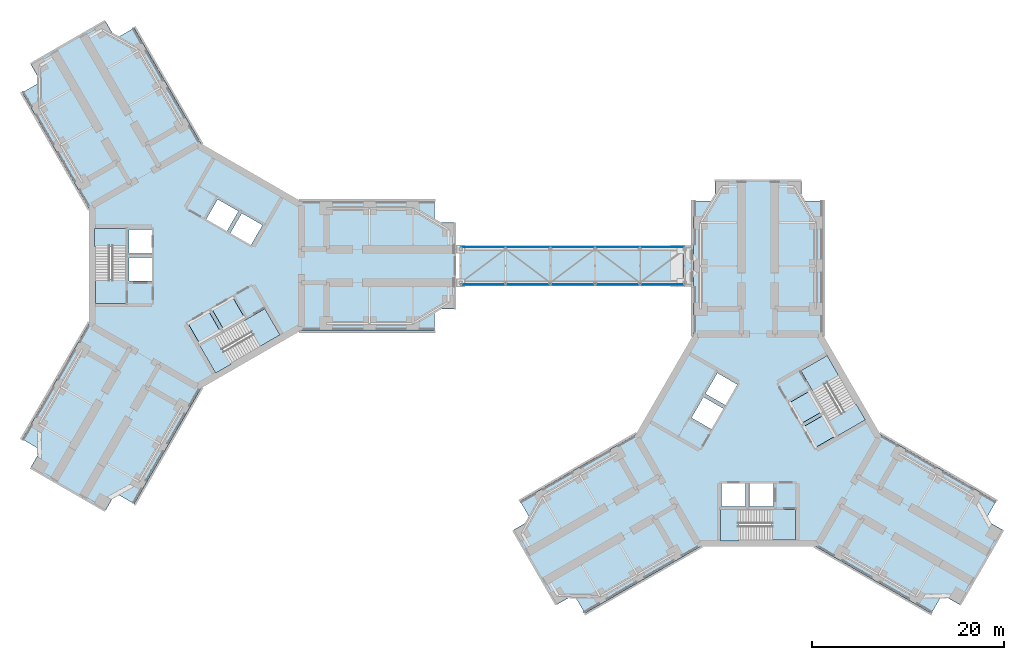
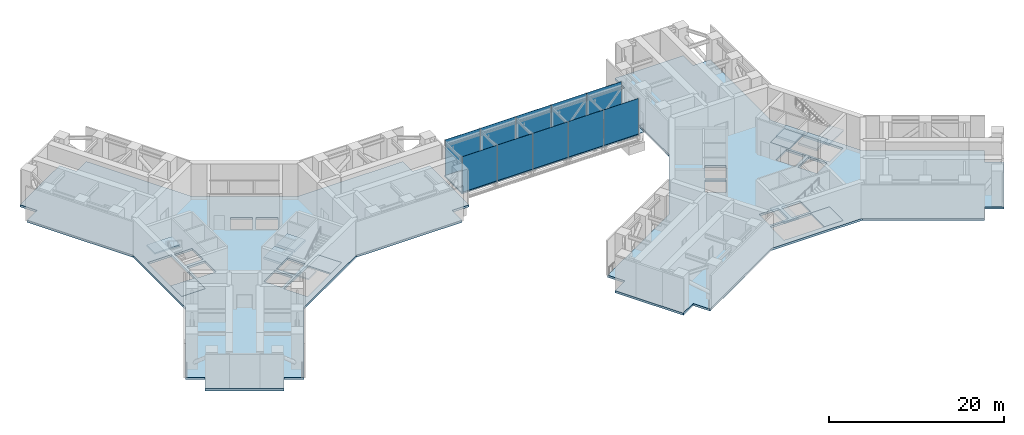
# One storey, part 7 of 17: 16 slabs, 10 plates, 6 elements without a shape of their own.
"""IFC4 building model written with IfcOpenShell, lengths in metres."""

from ifc_helpers import new_model, si_unit, direction, frame, origin, origin_2d, place, context, subcontext, project, spatial, polyline, rectangle, outline, extrude, material, layer, layer_set, type_object, element, aggregate, save


model = new_model("IFC4")

# Units and contexts
model_context = context("Model", 3, precision=1e-05, world=origin(), true_north=direction((0.0, 1.0)))
body_context = subcontext(model_context, "Body", "Model", "MODEL_VIEW")
ifc_project = project(units=[si_unit("LENGTHUNIT", "METRE"), si_unit("AREAUNIT", "SQUARE_METRE"), si_unit("VOLUMEUNIT", "CUBIC_METRE"), si_unit("PLANEANGLEUNIT", "RADIAN"), si_unit("MASSUNIT", "GRAM", prefix="KILO")], contexts=[model_context])

# Site, building, storey
site_placement = place(None, origin())
site = spatial("IfcSite", under=ifc_project, at=site_placement, CompositionType="ELEMENT")
building_placement = place(site_placement, origin())
building = spatial("IfcBuilding", under=site, at=building_placement, Name="Upepo Twin Towers", CompositionType="ELEMENT")
storey_placement = place(building_placement, frame((0.0, 0.0, 92.5)))
storey = spatial("IfcBuildingStorey", under=building, at=storey_placement, Name="L22", CompositionType="ELEMENT", Elevation=92.5)

# Slab
ifc_material_1 = material(Name="Concrete C40/50 on steel deck", Category="concrete")
ifc_layer_1 = layer(ifc_material_1, 0.199951171875)
ifc_layer_set_1 = layer_set([ifc_layer_1], Name="Concrete C40/50 on steel deck")
slab_type_1 = type_object("IfcSlabType", Name="Bridge deck 200 composite", PredefinedType="FLOOR", material=ifc_layer_set_1)
slab_1_placement = place(storey_placement, frame((0.0, 0.0, -0.199951171875)))
element("IfcSlab", 1, at=slab_1_placement, inside=storey, type_object=slab_type_1, Name="BR1 deck slab", PredefinedType="FLOOR", context=body_context, shape_type="SweptSolid", body=[
    extrude(outline(polyline([(27.5, -2.0), (50.840087890625, -2.0), (50.840087890625, 2.0), (27.5, 2.0), (27.5, -2.0)])), origin(), (0.0, 0.0, 1.0), 0.199951171875),
])

# Curtain wall, plates
ifc_material_2 = material(Name="Aluminium and clear glass", Category="aluminium")
curtain_wall_type = type_object("IfcCurtainWallType", Name="Bridge curtain wall BW1", PredefinedType="NOTDEFINED", material=ifc_material_2)
curtain_wall_1_placement = place(storey_placement, origin())
curtain_wall_1 = element("IfcCurtainWall", 2, at=curtain_wall_1_placement, inside=storey, type_object=curtain_wall_type, Name="BR1 curtain wall N", PredefinedType="NOTDEFINED")
ifc_material_3 = material(Name="Clear laminated glass", Category="glass")
ifc_layer_2 = layer(ifc_material_3, 0.028076171875)
ifc_layer_set_2 = layer_set([ifc_layer_2], Name="Clear glass panel, 28 mm double glazed")
plate_type = type_object("IfcPlateType", Name="Clear glass panel, 28 mm double glazed", PredefinedType="CURTAIN_PANEL", material=ifc_layer_set_2)
plate_1_placement = place(storey_placement, frame((48.48974609375, 1.93994140625, -0.080078125), z_axis=(0.0, 0.0, 1.0), x_axis=(-1.0, 0.0, 0.0)))
plate_1 = element("IfcPlate", 3, at=plate_1_placement, type_object=plate_type, Name="BR1 curtain wall N panel 1", PredefinedType="CURTAIN_PANEL", context=body_context, shape_type="SweptSolid", body=[
    extrude(rectangle(XDim=4.570556640625, YDim=0.031982421875, at=origin_2d()), origin(), (0.0, 0.0, 1.0), 5.030029296875),
])
plate_2_placement = place(storey_placement, frame((43.837890625, 1.93994140625, -0.080078125), z_axis=(0.0, 0.0, 1.0), x_axis=(-1.0, 0.0, 0.0)))
plate_2 = element("IfcPlate", 4, at=plate_2_placement, type_object=plate_type, Name="BR1 curtain wall N panel 2", PredefinedType="CURTAIN_PANEL", context=body_context, shape_type="SweptSolid", body=[
    extrude(rectangle(XDim=4.60302734375, YDim=0.031982421875, at=origin_2d()), origin(), (0.0, 0.0, 1.0), 5.030029296875),
])
plate_3_placement = place(storey_placement, frame((39.169921875, 1.93994140625, -0.080078125), z_axis=(0.0, 0.0, 1.0), x_axis=(-1.0, 0.0, 0.0)))
plate_3 = element("IfcPlate", 5, at=plate_3_placement, type_object=plate_type, Name="BR1 curtain wall N panel 3", PredefinedType="CURTAIN_PANEL", context=body_context, shape_type="SweptSolid", body=[
    extrude(rectangle(XDim=4.60302734375, YDim=0.031982421875, at=origin_2d()), origin(), (0.0, 0.0, 1.0), 5.030029296875),
])
plate_4_placement = place(storey_placement, frame((34.501953125, 1.93994140625, -0.080078125), z_axis=(0.0, 0.0, 1.0), x_axis=(-1.0, 0.0, 0.0)))
plate_4 = element("IfcPlate", 6, at=plate_4_placement, type_object=plate_type, Name="BR1 curtain wall N panel 4", PredefinedType="CURTAIN_PANEL", context=body_context, shape_type="SweptSolid", body=[
    extrude(rectangle(XDim=4.60302734375, YDim=0.031982421875, at=origin_2d()), origin(), (0.0, 0.0, 1.0), 5.030029296875),
])
plate_5_placement = place(storey_placement, frame((29.850341796875, 1.93994140625, -0.080078125), z_axis=(0.0, 0.0, 1.0), x_axis=(-1.0, 0.0, 0.0)))
plate_5 = element("IfcPlate", 7, at=plate_5_placement, type_object=plate_type, Name="BR1 curtain wall N panel 5", PredefinedType="CURTAIN_PANEL", context=body_context, shape_type="SweptSolid", body=[
    extrude(rectangle(XDim=4.570556640625, YDim=0.031982421875, at=origin_2d()), origin(), (0.0, 0.0, 1.0), 5.030029296875),
])
aggregate(curtain_wall_1, [plate_1, plate_2, plate_3, plate_4, plate_5])

curtain_wall_2_placement = place(storey_placement, origin())
curtain_wall_2 = element("IfcCurtainWall", 8, at=curtain_wall_2_placement, inside=storey, type_object=curtain_wall_type, Name="BR1 curtain wall S", PredefinedType="NOTDEFINED")
plate_6_placement = place(storey_placement, frame((29.850341796875, -1.93994140625, -0.080078125), z_axis=(0.0, 0.0, 1.0), x_axis=(1.0, 0.0, 0.0)))
plate_6 = element("IfcPlate", 9, at=plate_6_placement, type_object=plate_type, Name="BR1 curtain wall S panel 1", PredefinedType="CURTAIN_PANEL", context=body_context, shape_type="SweptSolid", body=[
    extrude(rectangle(XDim=4.570556640625, YDim=0.031982421875, at=origin_2d()), origin(), (0.0, 0.0, 1.0), 5.030029296875),
])
plate_7_placement = place(storey_placement, frame((34.501953125, -1.93994140625, -0.080078125), z_axis=(0.0, 0.0, 1.0), x_axis=(1.0, 0.0, 0.0)))
plate_7 = element("IfcPlate", 10, at=plate_7_placement, type_object=plate_type, Name="BR1 curtain wall S panel 2", PredefinedType="CURTAIN_PANEL", context=body_context, shape_type="SweptSolid", body=[
    extrude(rectangle(XDim=4.60302734375, YDim=0.031982421875, at=origin_2d()), origin(), (0.0, 0.0, 1.0), 5.030029296875),
])
plate_8_placement = place(storey_placement, frame((39.169921875, -1.93994140625, -0.080078125), z_axis=(0.0, 0.0, 1.0), x_axis=(1.0, 0.0, 0.0)))
plate_8 = element("IfcPlate", 11, at=plate_8_placement, type_object=plate_type, Name="BR1 curtain wall S panel 3", PredefinedType="CURTAIN_PANEL", context=body_context, shape_type="SweptSolid", body=[
    extrude(rectangle(XDim=4.60302734375, YDim=0.031982421875, at=origin_2d()), origin(), (0.0, 0.0, 1.0), 5.030029296875),
])
plate_9_placement = place(storey_placement, frame((43.837890625, -1.93994140625, -0.080078125), z_axis=(0.0, 0.0, 1.0), x_axis=(1.0, 0.0, 0.0)))
plate_9 = element("IfcPlate", 12, at=plate_9_placement, type_object=plate_type, Name="BR1 curtain wall S panel 4", PredefinedType="CURTAIN_PANEL", context=body_context, shape_type="SweptSolid", body=[
    extrude(rectangle(XDim=4.60302734375, YDim=0.031982421875, at=origin_2d()), origin(), (0.0, 0.0, 1.0), 5.030029296875),
])
plate_10_placement = place(storey_placement, frame((48.48974609375, -1.93994140625, -0.080078125), z_axis=(0.0, 0.0, 1.0), x_axis=(1.0, 0.0, 0.0)))
plate_10 = element("IfcPlate", 13, at=plate_10_placement, type_object=plate_type, Name="BR1 curtain wall S panel 5", PredefinedType="CURTAIN_PANEL", context=body_context, shape_type="SweptSolid", body=[
    extrude(rectangle(XDim=4.570556640625, YDim=0.031982421875, at=origin_2d()), origin(), (0.0, 0.0, 1.0), 5.030029296875),
])
aggregate(curtain_wall_2, [plate_6, plate_7, plate_8, plate_9, plate_10])

# Slabs
ifc_material_4 = material(Name="Steel chequer plate S275", Category="steel")
ifc_layer_3 = layer(ifc_material_4, 0.02001953125)
ifc_layer_set_3 = layer_set([ifc_layer_3], Name="Steel chequer plate S275")
slab_type_2 = type_object("IfcSlabType", Name="Expansion joint cover plate 20 steel", PredefinedType="USERDEFINED", material=ifc_layer_set_3)
slab_2_placement = place(storey_placement, origin())
element("IfcSlab", 14, at=slab_2_placement, inside=storey, type_object=slab_type_2, Name="BR1 movement joint cover plate at T2", ObjectType="COVER PLATE", PredefinedType="USERDEFINED", context=body_context, shape_type="SweptSolid", body=[
    extrude(outline(polyline([(50.68994140625, -1.949951171875), (51.544921875, -1.949951171875), (51.544921875, 1.949951171875), (50.68994140625, 1.949951171875), (50.68994140625, -1.949951171875)])), origin(), (0.0, 0.0, 1.0), 0.02001953125),
])
ifc_material_5 = material(Name="Concrete C40/50", Category="concrete")
ifc_layer_4 = layer(ifc_material_5, 0.300048828125)
ifc_layer_set_4 = layer_set([ifc_layer_4], Name="Concrete C40/50")
slab_type_3 = type_object("IfcSlabType", Name="Lift pit base 300 RC", PredefinedType="USERDEFINED", material=ifc_layer_set_4)
slab_3_placement = place(storey_placement, frame((0.0, 0.0, 3.10009765625)))
element("IfcSlab", 15, at=slab_3_placement, inside=storey, type_object=slab_type_3, Name="T1 lift ML1 pit base", ObjectType="LIFT PIT BASE", PredefinedType="USERDEFINED", context=body_context, shape_type="SweptSolid", body=[
    extrude(outline(polyline([(-0.94091796875, -5.97021484375), (0.259033203125, -8.048828125), (2.424072265625, -6.798828125), (1.22412109375, -4.72021484375), (-0.94091796875, -5.97021484375)])), origin(), (0.0, 0.0, 1.0), 0.2998046875),
])
slab_4_placement = place(storey_placement, frame((0.0, 0.0, 3.10009765625)))
element("IfcSlab", 16, at=slab_4_placement, inside=storey, type_object=slab_type_3, Name="T1 lift ML2 pit base", ObjectType="LIFT PIT BASE", PredefinedType="USERDEFINED", context=body_context, shape_type="SweptSolid", body=[
    extrude(outline(polyline([(1.570556640625, -4.520263671875), (2.7705078125, -6.598876953125), (4.935546875, -5.348876953125), (3.735595703125, -3.270263671875), (1.570556640625, -4.520263671875)])), origin(), (0.0, 0.0, 1.0), 0.2998046875),
])
slab_5_placement = place(storey_placement, frame((0.0, 0.0, 3.10009765625)))
element("IfcSlab", 17, at=slab_5_placement, inside=storey, type_object=slab_type_3, Name="T2 lift ML1 pit base", ObjectType="LIFT PIT BASE", PredefinedType="USERDEFINED", context=body_context, shape_type="SweptSolid", body=[
    extrude(outline(polyline([(64.47021484375, -18.94091796875), (66.548828125, -17.740966796875), (65.298828125, -15.575927734375), (63.22021484375, -16.77587890625), (64.47021484375, -18.94091796875)])), origin(), (0.0, 0.0, 1.0), 0.2998046875),
])
slab_6_placement = place(storey_placement, frame((0.0, 0.0, 3.10009765625)))
element("IfcSlab", 18, at=slab_6_placement, inside=storey, type_object=slab_type_3, Name="T2 lift ML2 pit base", ObjectType="LIFT PIT BASE", PredefinedType="USERDEFINED", context=body_context, shape_type="SweptSolid", body=[
    extrude(outline(polyline([(63.020263671875, -16.429443359375), (65.098876953125, -15.2294921875), (63.848876953125, -13.064453125), (61.770263671875, -14.264404296875), (63.020263671875, -16.429443359375)])), origin(), (0.0, 0.0, 1.0), 0.2998046875),
])
ifc_material_6 = material(Name="Concrete C40/50", Category="concrete")
ifc_layer_5 = layer(ifc_material_6, 0.300048828125)
ifc_layer_set_5 = layer_set([ifc_layer_5], Name="Concrete C40/50")
slab_type_4 = type_object("IfcSlabType", Name="Refuge and plant floor slab 300 RC", PredefinedType="FLOOR", material=ifc_layer_set_5)
slab_7_placement = place(storey_placement, frame((0.0, 0.0, -0.300048828125)))
element("IfcSlab", 19, at=slab_7_placement, inside=storey, type_object=slab_type_4, Name="T1 L22 floor slab", PredefinedType="FLOOR", context=body_context, shape_type="SweptSolid", body=[
    extrude(outline(polyline([(-8.477783203125, -23.68408203125), (-9.602783203125, -25.632568359375), (-17.397216796875, -21.132568359375), (-16.272216796875, -19.18408203125), (-18.220703125, -18.05908203125), (-11.25830078125, -6.0), (-11.25830078125, 6.0), (-18.220703125, 18.05908203125), (-16.272216796875, 19.18408203125), (-17.397216796875, 21.132568359375), (-9.602783203125, 25.632568359375), (-8.477783203125, 23.68408203125), (-6.529296875, 24.80908203125), (0.43310546875, 12.75), (10.825439453125, 6.75), (24.75, 6.75), (24.75, 4.5), (27.0, 4.5), (27.0, -4.5), (24.75, -4.5), (24.75, -6.75), (10.825439453125, -6.75), (0.43310546875, -12.75), (-6.529296875, -24.80908203125), (-8.477783203125, -23.68408203125)]), holes=[polyline([(5.640869140625, 2.17041015625), (6.8408203125, 4.248779296875), (4.67578125, 5.498779296875), (3.475830078125, 3.42041015625), (5.640869140625, 2.17041015625)]), polyline([(3.12939453125, 3.620361328125), (4.329345703125, 5.69873046875), (2.164306640625, 6.94873046875), (0.96435546875, 4.870361328125), (3.12939453125, 3.620361328125)]), polyline([(-4.699951171875, 3.800048828125), (-7.10009765625, 3.800048828125), (-7.10009765625, 1.300048828125), (-4.699951171875, 1.300048828125), (-4.699951171875, 3.800048828125)]), polyline([(-4.699951171875, 0.89990234375), (-7.10009765625, 0.89990234375), (-7.10009765625, -1.60009765625), (-4.699951171875, -1.60009765625), (-4.699951171875, 0.89990234375)]), polyline([(-7.39990234375, 3.89990234375), (-10.558349609375, 3.89990234375), (-10.558349609375, -3.89990234375), (-7.39990234375, -3.89990234375), (-7.39990234375, 3.89990234375)]), polyline([(-0.94091796875, -5.97021484375), (0.259033203125, -8.048828125), (2.424072265625, -6.798828125), (1.22412109375, -4.72021484375), (-0.94091796875, -5.97021484375)]), polyline([(1.570556640625, -4.520263671875), (2.7705078125, -6.598876953125), (4.935546875, -5.348876953125), (3.735595703125, -3.270263671875), (1.570556640625, -4.520263671875)]), polyline([(0.322509765625, -8.358642578125), (1.901611328125, -11.09375), (8.65673828125, -7.19384765625), (7.077392578125, -4.45849609375), (0.322509765625, -8.358642578125)])]), origin(), (0.0, 0.0, 1.0), 0.300048828125),
])
slab_8_placement = place(storey_placement, frame((0.0, 0.0, -0.300048828125)))
element("IfcSlab", 20, at=slab_8_placement, inside=storey, type_object=slab_type_4, Name="T2 L22 floor slab", PredefinedType="FLOOR", context=body_context, shape_type="SweptSolid", body=[
    extrude(outline(polyline([(82.18408203125, -26.477783203125), (84.132568359375, -27.602783203125), (79.632568359375, -35.397216796875), (77.68408203125, -34.272216796875), (76.55908203125, -36.220703125), (64.5, -29.25830078125), (52.5, -29.25830078125), (40.44091796875, -36.220703125), (39.31591796875, -34.272216796875), (37.367431640625, -35.397216796875), (32.867431640625, -27.602783203125), (34.81591796875, -26.477783203125), (33.69091796875, -24.529296875), (45.75, -17.56689453125), (51.75, -7.174560546875), (51.75, 6.75), (54.0, 6.75), (54.0, 9.0), (63.0, 9.0), (63.0, 6.75), (65.25, 6.75), (65.25, -7.174560546875), (71.25, -17.56689453125), (83.30908203125, -24.529296875), (82.18408203125, -26.477783203125)]), holes=[polyline([(56.32958984375, -12.359130859375), (54.251220703125, -11.1591796875), (53.001220703125, -13.32421875), (55.07958984375, -14.524169921875), (56.32958984375, -12.359130859375)]), polyline([(54.879638671875, -14.87060546875), (52.80126953125, -13.670654296875), (51.55126953125, -15.835693359375), (53.629638671875, -17.03564453125), (54.879638671875, -14.87060546875)]), polyline([(54.699951171875, -22.699951171875), (54.699951171875, -25.10009765625), (57.199951171875, -25.10009765625), (57.199951171875, -22.699951171875), (54.699951171875, -22.699951171875)]), polyline([(57.60009765625, -22.699951171875), (57.60009765625, -25.10009765625), (60.10009765625, -25.10009765625), (60.10009765625, -22.699951171875), (57.60009765625, -22.699951171875)]), polyline([(54.60009765625, -25.39990234375), (54.60009765625, -28.558349609375), (62.39990234375, -28.558349609375), (62.39990234375, -25.39990234375), (54.60009765625, -25.39990234375)]), polyline([(64.47021484375, -18.94091796875), (66.548828125, -17.740966796875), (65.298828125, -15.575927734375), (63.22021484375, -16.77587890625), (64.47021484375, -18.94091796875)]), polyline([(63.020263671875, -16.429443359375), (65.098876953125, -15.2294921875), (63.848876953125, -13.064453125), (61.770263671875, -14.264404296875), (63.020263671875, -16.429443359375)]), polyline([(66.858642578125, -17.677490234375), (69.59375, -16.098388671875), (65.69384765625, -9.34326171875), (62.95849609375, -10.922607421875), (66.858642578125, -17.677490234375)])]), origin(), (0.0, 0.0, 1.0), 0.300048828125),
])

# Stair, slabs
ifc_material_7 = material(Name="Concrete C40/50", Category="concrete")
stair_type = type_object("IfcStairType", Name="Core stair, two flights", PredefinedType="HALF_TURN_STAIR", material=ifc_material_7)
stair_1_placement = place(storey_placement, origin())
stair_1 = element("IfcStair", 21, at=stair_1_placement, inside=storey, type_object=stair_type, Name="T1 stair S1 L22", PredefinedType="HALF_TURN_STAIR")
ifc_material_8 = material(Name="Concrete C40/50", Category="concrete")
ifc_layer_6 = layer(ifc_material_8, 0.199951171875)
ifc_layer_set_6 = layer_set([ifc_layer_6], Name="Concrete C40/50")
slab_type_5 = type_object("IfcSlabType", Name="Stair landing 200 RC", PredefinedType="LANDING", material=ifc_layer_set_6)
slab_9_placement = place(storey_placement, frame((0.0, 0.0, -0.199951171875)))
slab_9 = element("IfcSlab", 22, at=slab_9_placement, type_object=slab_type_5, Name="Stair S1 landing 1", PredefinedType="LANDING", context=body_context, shape_type="SweptSolid", body=[
    extrude(outline(polyline([(-7.39990234375, -1.419921875), (-10.558349609375, -1.419921875), (-10.558349609375, -3.89990234375), (-7.39990234375, -3.89990234375), (-7.39990234375, -1.419921875)])), origin(), (0.0, 0.0, 1.0), 0.199951171875),
])
slab_10_placement = place(storey_placement, frame((0.0, 0.0, 2.300048828125)))
slab_10 = element("IfcSlab", 23, at=slab_10_placement, type_object=slab_type_5, Name="Stair S1 landing 2", PredefinedType="LANDING", context=body_context, shape_type="SweptSolid", body=[
    extrude(outline(polyline([(-7.300048828125, 3.89990234375), (-10.658447265625, 3.89990234375), (-10.658447265625, 2.02001953125), (-7.300048828125, 2.02001953125), (-7.300048828125, 3.89990234375)])), origin(), (0.0, 0.0, 1.0), 0.199951171875),
])
aggregate(stair_1, [slab_9, slab_10])

stair_2_placement = place(storey_placement, origin())
stair_2 = element("IfcStair", 24, at=stair_2_placement, inside=storey, type_object=stair_type, Name="T1 stair S2 L22", PredefinedType="HALF_TURN_STAIR")
slab_11_placement = place(storey_placement, frame((0.0, 0.0, -0.199951171875)))
slab_11 = element("IfcSlab", 25, at=slab_11_placement, type_object=slab_type_5, Name="Stair S2 landing 1", PredefinedType="LANDING", context=body_context, shape_type="SweptSolid", body=[
    extrude(outline(polyline([(4.9296875, -5.698486328125), (6.509033203125, -8.433837890625), (8.65673828125, -7.19384765625), (7.077392578125, -4.45849609375), (4.9296875, -5.698486328125)])), origin(), (0.0, 0.0, 1.0), 0.199951171875),
])
slab_12_placement = place(storey_placement, frame((0.0, 0.0, 2.300048828125)))
slab_12 = element("IfcSlab", 26, at=slab_12_placement, type_object=slab_type_5, Name="Stair S2 landing 2", PredefinedType="LANDING", context=body_context, shape_type="SweptSolid", body=[
    extrude(outline(polyline([(0.2724609375, -8.27197265625), (1.95166015625, -11.180419921875), (3.579833984375, -10.240478515625), (1.900634765625, -7.33203125), (0.2724609375, -8.27197265625)])), origin(), (0.0, 0.0, 1.0), 0.199951171875),
])
aggregate(stair_2, [slab_11, slab_12])

stair_3_placement = place(storey_placement, origin())
stair_3 = element("IfcStair", 27, at=stair_3_placement, inside=storey, type_object=stair_type, Name="T2 stair S1 L22", PredefinedType="HALF_TURN_STAIR")
slab_13_placement = place(storey_placement, frame((0.0, 0.0, -0.199951171875)))
slab_13 = element("IfcSlab", 28, at=slab_13_placement, type_object=slab_type_5, Name="Stair S1 landing 1", PredefinedType="LANDING", context=body_context, shape_type="SweptSolid", body=[
    extrude(outline(polyline([(59.919921875, -25.39990234375), (59.919921875, -28.558349609375), (62.39990234375, -28.558349609375), (62.39990234375, -25.39990234375), (59.919921875, -25.39990234375)])), origin(), (0.0, 0.0, 1.0), 0.199951171875),
])
slab_14_placement = place(storey_placement, frame((0.0, 0.0, 2.300048828125)))
slab_14 = element("IfcSlab", 29, at=slab_14_placement, type_object=slab_type_5, Name="Stair S1 landing 2", PredefinedType="LANDING", context=body_context, shape_type="SweptSolid", body=[
    extrude(outline(polyline([(54.60009765625, -25.300048828125), (54.60009765625, -28.658447265625), (56.47998046875, -28.658447265625), (56.47998046875, -25.300048828125), (54.60009765625, -25.300048828125)])), origin(), (0.0, 0.0, 1.0), 0.199951171875),
])
aggregate(stair_3, [slab_13, slab_14])

stair_4_placement = place(storey_placement, origin())
stair_4 = element("IfcStair", 30, at=stair_4_placement, inside=storey, type_object=stair_type, Name="T2 stair S2 L22", PredefinedType="HALF_TURN_STAIR")
slab_15_placement = place(storey_placement, frame((0.0, 0.0, -0.199951171875)))
slab_15 = element("IfcSlab", 31, at=slab_15_placement, type_object=slab_type_5, Name="Stair S2 landing 1", PredefinedType="LANDING", context=body_context, shape_type="SweptSolid", body=[
    extrude(outline(polyline([(64.198486328125, -13.0703125), (66.933837890625, -11.490966796875), (65.69384765625, -9.34326171875), (62.95849609375, -10.922607421875), (64.198486328125, -13.0703125)])), origin(), (0.0, 0.0, 1.0), 0.199951171875),
])
slab_16_placement = place(storey_placement, frame((0.0, 0.0, 2.300048828125)))
slab_16 = element("IfcSlab", 32, at=slab_16_placement, type_object=slab_type_5, Name="Stair S2 landing 2", PredefinedType="LANDING", context=body_context, shape_type="SweptSolid", body=[
    extrude(outline(polyline([(66.77197265625, -17.7275390625), (69.680419921875, -16.04833984375), (68.740478515625, -14.420166015625), (65.83203125, -16.099365234375), (66.77197265625, -17.7275390625)])), origin(), (0.0, 0.0, 1.0), 0.199951171875),
])
aggregate(stair_4, [slab_15, slab_16])

save(model, "model.ifc")
